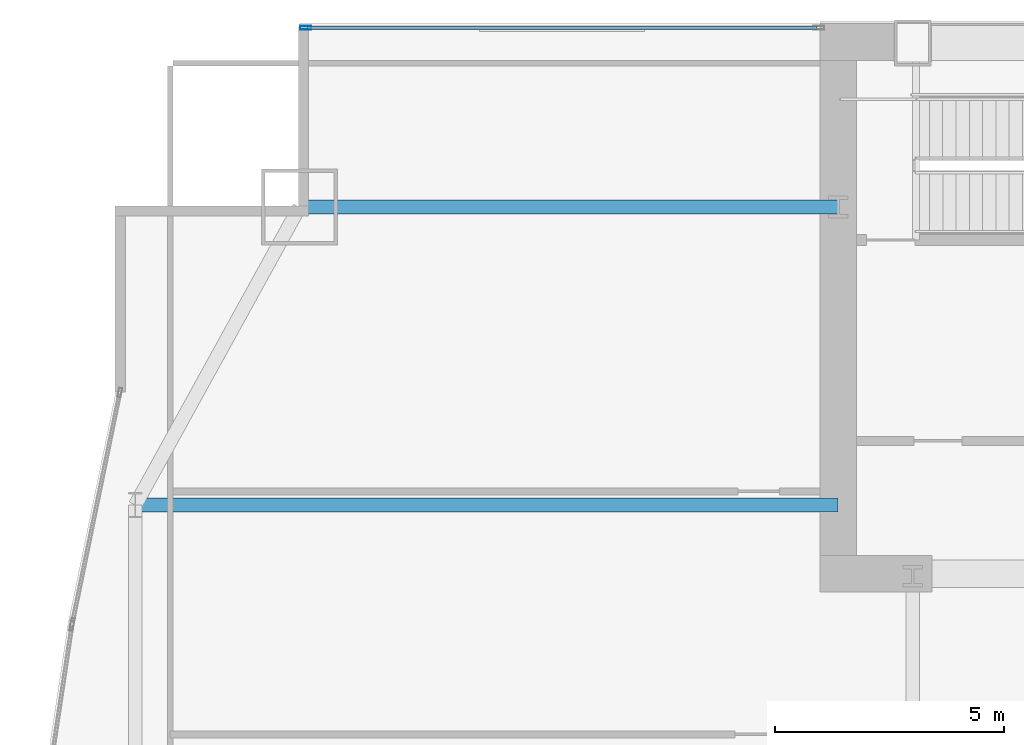
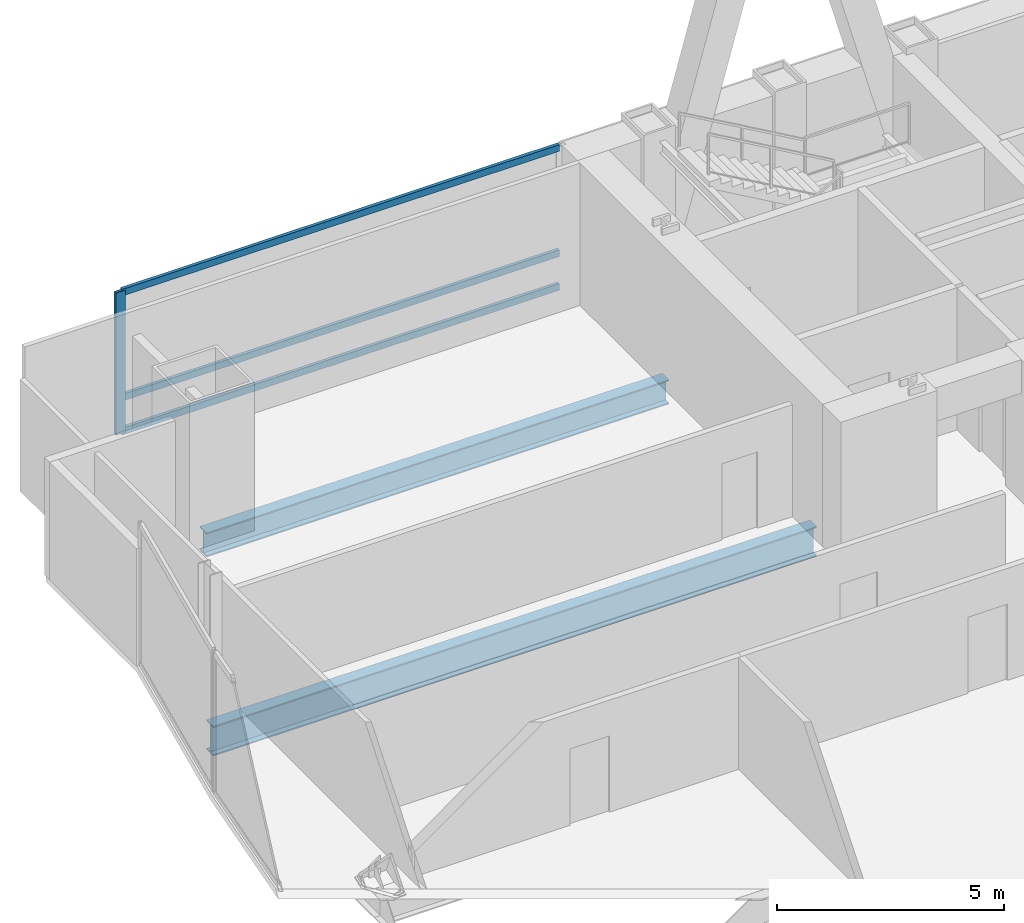
# One storey, part 17 of 36: 4 members, 2 beams, 1 element without a shape of its own.
"""IFC4 building model written with IfcOpenShell, lengths in metres."""

from ifc_helpers import new_model, si_unit, direction, frame, origin, origin_2d, place, context, subcontext, project, spatial, hollow_rectangle, i_section, extrude, material, material_profile, profile_set, type_object, element, aggregate, save


model = new_model("IFC4")

# Units and contexts
model_context = context("Model", 3, precision=1e-05, world=origin(), true_north=direction((0.0, 1.0)))
body_context = subcontext(model_context, "Body", "Model", "MODEL_VIEW")
ifc_project = project(units=[si_unit("LENGTHUNIT", "METRE"), si_unit("AREAUNIT", "SQUARE_METRE"), si_unit("VOLUMEUNIT", "CUBIC_METRE"), si_unit("PLANEANGLEUNIT", "RADIAN"), si_unit("MASSUNIT", "GRAM", prefix="KILO")], contexts=[model_context])

# Site, building, storey
site_placement = place(None, origin())
site = spatial("IfcSite", under=ifc_project, at=site_placement, CompositionType="ELEMENT")
building_placement = place(site_placement, origin())
building = spatial("IfcBuilding", under=site, at=building_placement, Name="Khoronbel Lancet Exchange", CompositionType="ELEMENT")
storey_placement = place(building_placement, frame((0.0, 0.0, 49.800048828125)))
storey = spatial("IfcBuildingStorey", under=building, at=storey_placement, Name="L11", CompositionType="ELEMENT", Elevation=49.800048828125)

# Beams
ifc_material_1 = material(Name="Steel S355", Category="steel")
ifc_material_profile_1 = material_profile(ifc_material_1, i_section(OverallWidth=0.300048828125, OverallDepth=0.800048828125, WebThickness=0.017578125, FlangeThickness=0.032958984375, at=origin_2d()), Name="HEB 800")
ifc_profile_set_1 = profile_set([ifc_material_profile_1], Name="Steel S355")
beam_type_1 = type_object("IfcBeamType", Name="BM-BG2", PredefinedType="BEAM", material=ifc_profile_set_1)
beam_1_placement = place(storey_placement, frame((1.27001953125, 43.199951171875, -0.580078125), z_axis=(1.0, 0.0, 0.0), x_axis=(0.0, 1.0, 0.0)))
element("IfcBeam", 1, at=beam_1_placement, inside=storey, type_object=beam_type_1, Name="Level L11 west lens tie girder LG3W", PredefinedType="BEAM", context=body_context, shape_type="SweptSolid", body=[
    extrude(i_section(OverallWidth=0.300048828125, OverallDepth=0.800048828125, WebThickness=0.017578125, FlangeThickness=0.032958984375, at=origin_2d()), origin(), (0.0, 0.0, 1.0), 15.330078125),
])
ifc_material_profile_2 = material_profile(ifc_material_1, i_section(OverallWidth=0.300048828125, OverallDepth=0.64990234375, WebThickness=0.01611328125, FlangeThickness=0.031005859375, at=origin_2d()), Name="HEB 650")
ifc_profile_set_2 = profile_set([ifc_material_profile_2], Name="Steel S355")
beam_type_2 = type_object("IfcBeamType", Name="BM-BSP1", PredefinedType="SPANDREL", material=ifc_profile_set_2)
beam_2_placement = place(storey_placement, frame((4.85009765625, 49.699951171875, -0.505126953125), z_axis=(1.0, 0.0, 0.0), x_axis=(0.0, 1.0, 0.0)))
element("IfcBeam", 2, at=beam_2_placement, inside=storey, type_object=beam_type_2, Name="Level L11 north flank tie spandrel SP22", PredefinedType="SPANDREL", context=body_context, shape_type="SweptSolid", body=[
    extrude(i_section(OverallWidth=0.300048828125, OverallDepth=0.64990234375, WebThickness=0.01611328125, FlangeThickness=0.031005859375, at=origin_2d()), origin(), (0.0, 0.0, 1.0), 11.75),
])

# Curtain wall, members
ifc_material_2 = material(Name="Low-E Solar Control Insulating Glass", Category="glass")
curtain_wall_type = type_object("IfcCurtainWallType", Name="CW-1", PredefinedType="NOTDEFINED", material=ifc_material_2)
curtain_wall_placement = place(storey_placement, origin())
curtain_wall = element("IfcCurtainWall", 3, at=curtain_wall_placement, inside=storey, type_object=curtain_wall_type, Name="Unitised curtain wall CW-L11-NWFLK", PredefinedType="NOTDEFINED")
ifc_material_3 = material(Name="Bronze-Anodised Aluminium 6063-T6", Category="aluminium")
ifc_material_profile_3 = material_profile(ifc_material_3, hollow_rectangle(XDim=0.0849609375, YDim=0.239990234375, WallThickness=0.006103515625, at=origin_2d()), Name="ALU MULLION 85x240")
ifc_profile_set_3 = profile_set([ifc_material_profile_3], Name="Bronze-Anodised Aluminium 6063-T6")
member_type_1 = type_object("IfcMemberType", Name="MEM-CWM1", PredefinedType="MULLION", material=ifc_profile_set_3)
member_1_placement = place(storey_placement, frame((4.982421875, 53.610107421875, 0.0), z_axis=(0.0, 0.0, 1.0), x_axis=(0.0, -1.0, 0.0)))
member_1 = element("IfcMember", 4, at=member_1_placement, type_object=member_type_1, Name="CW1 mullion 2", PredefinedType="MULLION", context=body_context, shape_type="SweptSolid", body=[
    extrude(hollow_rectangle(XDim=0.0849609375, YDim=0.239990234375, WallThickness=0.006103515625, at=origin_2d()), origin(), (0.0, 0.0, 1.0), 3.820068359375),
])
ifc_material_profile_4 = material_profile(ifc_material_3, hollow_rectangle(XDim=0.0849609375, YDim=0.179931640625, WallThickness=0.0048828125, at=origin_2d()), Name="ALU TRANSOM 85x180")
ifc_profile_set_4 = profile_set([ifc_material_profile_4], Name="Bronze-Anodised Aluminium 6063-T6")
member_type_2 = type_object("IfcMemberType", Name="MEM-CWT1", PredefinedType="USERDEFINED", material=ifc_profile_set_4)
member_2_placement = place(storey_placement, frame((16.135009765625, 53.610107421875, 0.04248046875), z_axis=(-1.0, 0.0, 0.0), x_axis=(0.0, -1.0, 0.0)))
member_2 = element("IfcMember", 5, at=member_2_placement, type_object=member_type_2, Name="CW1 transom 1.1", ObjectType="TRANSOM", PredefinedType="USERDEFINED", context=body_context, shape_type="SweptSolid", body=[
    extrude(hollow_rectangle(XDim=0.0849609375, YDim=0.179931640625, WallThickness=0.0048828125, at=origin_2d()), origin(), (0.0, 0.0, 1.0), 11.110107421875),
])
member_3_placement = place(storey_placement, frame((16.135009765625, 53.610107421875, 0.949951171875), z_axis=(-1.0, 0.0, 0.0), x_axis=(0.0, -1.0, 0.0)))
member_3 = element("IfcMember", 6, at=member_3_placement, type_object=member_type_2, Name="CW1 transom 1.2", ObjectType="TRANSOM", PredefinedType="USERDEFINED", context=body_context, shape_type="SweptSolid", body=[
    extrude(hollow_rectangle(XDim=0.0849609375, YDim=0.179931640625, WallThickness=0.0048828125, at=origin_2d()), origin(), (0.0, 0.0, 1.0), 11.110107421875),
])
member_4_placement = place(storey_placement, frame((16.135009765625, 53.610107421875, 3.77734375), z_axis=(-1.0, 0.0, 0.0), x_axis=(0.0, -1.0, 0.0)))
member_4 = element("IfcMember", 7, at=member_4_placement, type_object=member_type_2, Name="CW1 transom 1.3", ObjectType="TRANSOM", PredefinedType="USERDEFINED", context=body_context, shape_type="SweptSolid", body=[
    extrude(hollow_rectangle(XDim=0.0849609375, YDim=0.179931640625, WallThickness=0.0048828125, at=origin_2d()), origin(), (0.0, 0.0, 1.0), 11.110107421875),
])
aggregate(curtain_wall, [member_1, member_2, member_3, member_4])

save(model, "model.ifc")
